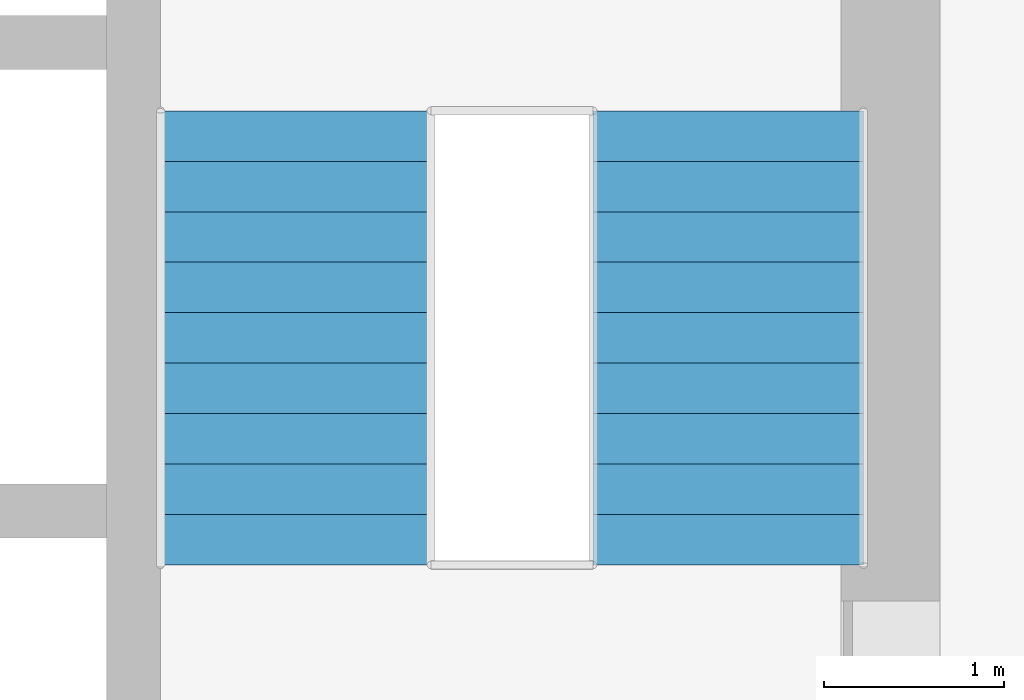
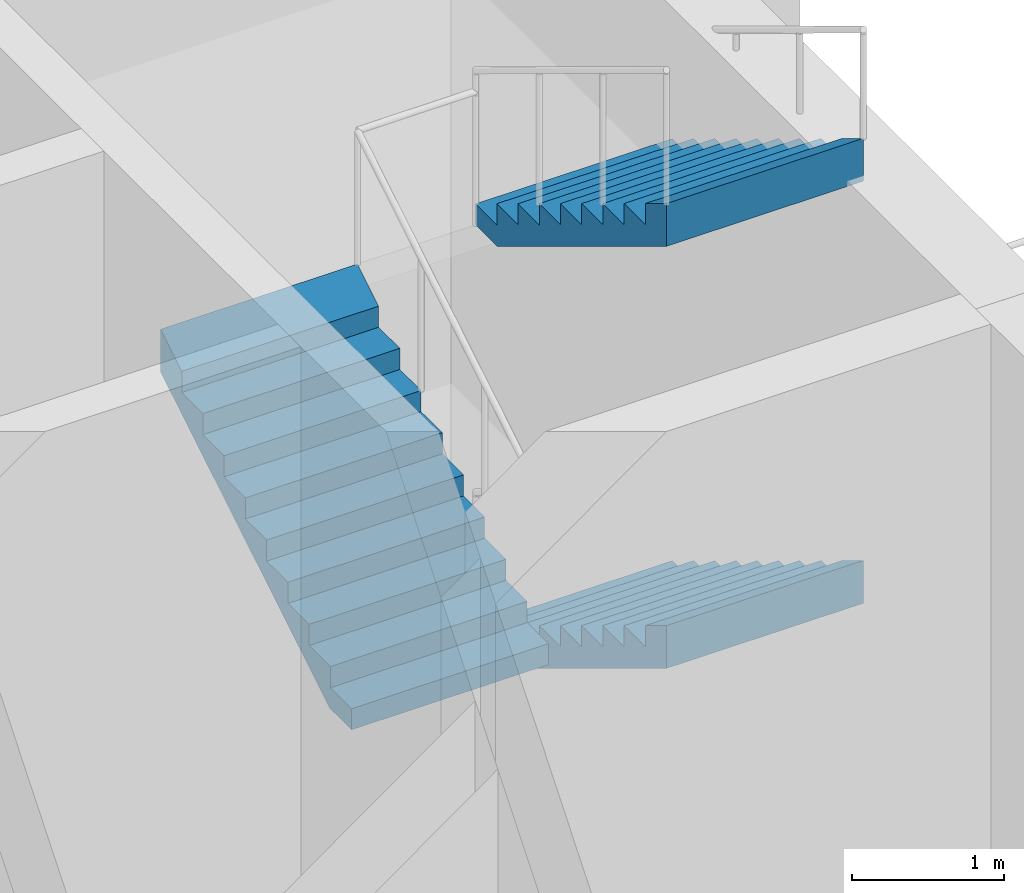
# One storey, part 7 of 10: 3 stair flights, 1 element without a shape of its own.
"""IFC4 building model written with IfcOpenShell, lengths in metres."""

from ifc_helpers import new_model, si_unit, direction, frame, origin, place, context, subcontext, project, spatial, triangles, material, type_object, element, aggregate, save


model = new_model("IFC4")

# Units and contexts
model_context = context("Model", 3, precision=1e-05, world=origin(), true_north=direction((0.0, 1.0)))
body_context = subcontext(model_context, "Body", "Model", "MODEL_VIEW")
ifc_project = project(units=[si_unit("LENGTHUNIT", "METRE"), si_unit("AREAUNIT", "SQUARE_METRE"), si_unit("VOLUMEUNIT", "CUBIC_METRE"), si_unit("PLANEANGLEUNIT", "RADIAN"), si_unit("MASSUNIT", "GRAM", prefix="KILO")], contexts=[model_context])

# Site, building, storey
site_placement = place(None, origin())
site = spatial("IfcSite", under=ifc_project, at=site_placement, CompositionType="ELEMENT")
building_placement = place(site_placement, origin())
building = spatial("IfcBuilding", under=site, at=building_placement, Name="Ludao Terraces", CompositionType="ELEMENT")
storey_placement = place(building_placement, frame((0.0, 0.0, 172.39990234375)))
storey = spatial("IfcBuildingStorey", under=building, at=storey_placement, Name="L47", CompositionType="ELEMENT", Elevation=172.39990234375)

# Stair, stair flights
ifc_material = material(Name="Concrete C40", Category="concrete")
stair_type = type_object("IfcStairType", Name="INT Stair", PredefinedType="HALF_TURN_STAIR", material=ifc_material)
stair_placement = place(storey_placement, origin())
stair = element("IfcStair", 1, at=stair_placement, inside=storey, type_object=stair_type, Name="EXIT STAIR 2", PredefinedType="HALF_TURN_STAIR")
stair_flight_type = type_object("IfcStairFlightType", Name="INT Stair flight", PredefinedType="STRAIGHT", material=ifc_material)
stair_flight_1_placement = place(storey_placement, frame((93.85009765625, 81.52001953125, 1.7001953125), z_axis=(0.0, 0.0, 1.0), x_axis=(0.0, -1.0, 0.0)))
stair_flight_1 = element("IfcStairFlight", 2, at=stair_flight_1_placement, type_object=stair_flight_type, Name="ST2 flight 2", NumberOfRisers=10, NumberOfTreads=9, PredefinedType="STRAIGHT", RiserHeight=0.17, TreadLength=0.28, context=body_context, shape_type="Tessellation", body=[
    triangles([(0.0, -0.75, 0.0), (0.0, -0.5, 0.0), (0.0, -0.25, 0.0), (0.0, 0.0, 0.0), (0.0, 0.25, 0.0), (0.0, 0.5, 0.0), (0.0, 0.75, 0.0), (0.0, -0.75, 0.169921875), (0.0, -0.5, 0.169921875), (0.0, -0.25, 0.169921875), (0.0, 0.0, 0.169921875), (0.0, 0.25, 0.169921875), (0.0, 0.5, 0.169921875), (0.0, 0.75, 0.169921875), (0.280029296875, -0.75, 0.169921875), (0.280029296875, -0.5, 0.169921875), (0.280029296875, -0.25, 0.169921875), (0.280029296875, 0.0, 0.169921875), (0.280029296875, 0.25, 0.169921875), (0.280029296875, 0.5, 0.169921875), (0.280029296875, 0.75, 0.169921875), (0.280029296875, -0.75, 0.340087890625), (0.280029296875, -0.5, 0.340087890625), (0.280029296875, -0.25, 0.340087890625), (0.280029296875, 0.0, 0.340087890625), (0.280029296875, 0.25, 0.340087890625), (0.280029296875, 0.5, 0.340087890625), (0.280029296875, 0.75, 0.340087890625), (0.56005859375, -0.75, 0.340087890625), (0.56005859375, -0.5, 0.340087890625), (0.56005859375, -0.25, 0.340087890625), (0.56005859375, 0.0, 0.340087890625), (0.56005859375, 0.25, 0.340087890625), (0.56005859375, 0.5, 0.340087890625), (0.56005859375, 0.75, 0.340087890625), (0.56005859375, -0.75, 0.510009765625), (0.56005859375, -0.5, 0.510009765625), (0.56005859375, -0.25, 0.510009765625), (0.56005859375, 0.0, 0.510009765625), (0.56005859375, 0.25, 0.510009765625), (0.56005859375, 0.5, 0.510009765625), (0.56005859375, 0.75, 0.510009765625), (0.840087890625, -0.75, 0.510009765625), (0.840087890625, -0.5, 0.510009765625), (0.840087890625, -0.25, 0.510009765625), (0.840087890625, 0.0, 0.510009765625), (0.840087890625, 0.25, 0.510009765625), (0.840087890625, 0.5, 0.510009765625), (0.840087890625, 0.75, 0.510009765625), (0.840087890625, -0.75, 0.679931640625), (0.840087890625, -0.5, 0.679931640625), (0.840087890625, -0.25, 0.679931640625), (0.840087890625, 0.0, 0.679931640625), (0.840087890625, 0.25, 0.679931640625), (0.840087890625, 0.5, 0.679931640625), (0.840087890625, 0.75, 0.679931640625), (1.1201171875, -0.75, 0.679931640625), (1.1201171875, -0.5, 0.679931640625), (1.1201171875, -0.25, 0.679931640625), (1.1201171875, 0.0, 0.679931640625), (1.1201171875, 0.25, 0.679931640625), (1.1201171875, 0.5, 0.679931640625), (1.1201171875, 0.75, 0.679931640625), (1.1201171875, -0.75, 0.85009765625), (1.1201171875, -0.5, 0.85009765625), (1.1201171875, -0.25, 0.85009765625), (1.1201171875, 0.0, 0.85009765625), (1.1201171875, 0.25, 0.85009765625), (1.1201171875, 0.5, 0.85009765625), (1.1201171875, 0.75, 0.85009765625), (1.39990234375, -0.75, 0.85009765625), (1.39990234375, -0.5, 0.85009765625), (1.39990234375, -0.25, 0.85009765625), (1.39990234375, 0.0, 0.85009765625), (1.39990234375, 0.25, 0.85009765625), (1.39990234375, 0.5, 0.85009765625), (1.39990234375, 0.75, 0.85009765625), (1.39990234375, -0.75, 1.02001953125), (1.39990234375, -0.5, 1.02001953125), (1.39990234375, -0.25, 1.02001953125), (1.39990234375, 0.0, 1.02001953125), (1.39990234375, 0.25, 1.02001953125), (1.39990234375, 0.5, 1.02001953125), (1.39990234375, 0.75, 1.02001953125), (1.679931640625, -0.75, 1.02001953125), (1.679931640625, -0.5, 1.02001953125), (1.679931640625, -0.25, 1.02001953125), (1.679931640625, 0.0, 1.02001953125), (1.679931640625, 0.25, 1.02001953125), (1.679931640625, 0.5, 1.02001953125), (1.679931640625, 0.75, 1.02001953125), (1.679931640625, -0.75, 1.18994140625), (1.679931640625, -0.5, 1.18994140625), (1.679931640625, -0.25, 1.18994140625), (1.679931640625, 0.0, 1.18994140625), (1.679931640625, 0.25, 1.18994140625), (1.679931640625, 0.5, 1.18994140625), (1.679931640625, 0.75, 1.18994140625), (1.9599609375, -0.75, 1.18994140625), (1.9599609375, -0.5, 1.18994140625), (1.9599609375, -0.25, 1.18994140625), (1.9599609375, 0.0, 1.18994140625), (1.9599609375, 0.25, 1.18994140625), (1.9599609375, 0.5, 1.18994140625), (1.9599609375, 0.75, 1.18994140625), (1.9599609375, -0.75, 1.360107421875), (1.9599609375, -0.5, 1.360107421875), (1.9599609375, -0.25, 1.360107421875), (1.9599609375, 0.0, 1.360107421875), (1.9599609375, 0.25, 1.360107421875), (1.9599609375, 0.5, 1.360107421875), (1.9599609375, 0.75, 1.360107421875), (2.239990234375, -0.75, 1.360107421875), (2.239990234375, -0.5, 1.360107421875), (2.239990234375, -0.25, 1.360107421875), (2.239990234375, 0.0, 1.360107421875), (2.239990234375, 0.25, 1.360107421875), (2.239990234375, 0.5, 1.360107421875), (2.239990234375, 0.75, 1.360107421875), (2.239990234375, -0.75, 1.530029296875), (2.239990234375, -0.5, 1.530029296875), (2.239990234375, -0.25, 1.530029296875), (2.239990234375, 0.0, 1.530029296875), (2.239990234375, 0.25, 1.530029296875), (2.239990234375, 0.5, 1.530029296875), (2.239990234375, 0.75, 1.530029296875), (2.52001953125, -0.75, 1.699951171875), (2.52001953125, -0.5, 1.699951171875), (2.52001953125, -0.25, 1.699951171875), (2.52001953125, 0.0, 1.699951171875), (2.52001953125, 0.25, 1.699951171875), (2.52001953125, 0.5, 1.699951171875), (2.52001953125, 0.75, 1.699951171875), (2.52001953125, -0.75, 1.354736328125), (2.52001953125, -0.5, 1.354736328125), (2.52001953125, -0.25, 1.354736328125), (2.52001953125, 0.0, 1.354736328125), (2.52001953125, 0.25, 1.354736328125), (2.52001953125, 0.5, 1.354736328125), (2.52001953125, 0.75, 1.354736328125), (0.288818359375, -0.75, 0.0), (0.288818359375, -0.5, 0.0), (0.288818359375, -0.25, 0.0), (0.288818359375, 0.0, 0.0), (0.288818359375, 0.25, 0.0), (0.288818359375, 0.5, 0.0), (0.288818359375, 0.75, 0.0)], [[1, 141, 134], [7, 140, 147], [134, 127, 120], [140, 126, 133], [134, 120, 113], [140, 119, 126], [134, 113, 106], [140, 112, 119], [134, 106, 99], [140, 105, 112], [99, 92, 85], [105, 91, 98], [134, 99, 85], [140, 91, 105], [85, 78, 71], [91, 77, 84], [134, 85, 71], [140, 77, 91], [71, 64, 57], [77, 63, 70], [134, 71, 57], [140, 63, 77], [57, 50, 43], [63, 49, 56], [134, 57, 43], [140, 49, 63], [43, 36, 29], [49, 35, 42], [134, 43, 29], [140, 35, 49], [29, 22, 15], [35, 21, 28], [134, 29, 15], [140, 21, 35], [1, 134, 15], [7, 21, 140], [15, 8, 1], [21, 7, 14], [1, 9, 2], [1, 8, 9], [2, 10, 3], [2, 9, 10], [3, 11, 4], [3, 10, 11], [4, 12, 5], [4, 11, 12], [5, 13, 6], [5, 12, 13], [6, 14, 7], [6, 13, 14], [8, 16, 9], [8, 15, 16], [9, 17, 10], [9, 16, 17], [10, 18, 11], [10, 17, 18], [11, 19, 12], [11, 18, 19], [12, 20, 13], [12, 19, 20], [13, 21, 14], [13, 20, 21], [15, 23, 16], [15, 22, 23], [16, 24, 17], [16, 23, 24], [17, 25, 18], [17, 24, 25], [18, 26, 19], [18, 25, 26], [19, 27, 20], [19, 26, 27], [20, 28, 21], [20, 27, 28], [22, 30, 23], [22, 29, 30], [23, 31, 24], [23, 30, 31], [24, 32, 25], [24, 31, 32], [25, 33, 26], [25, 32, 33], [26, 34, 27], [26, 33, 34], [27, 35, 28], [27, 34, 35], [29, 37, 30], [29, 36, 37], [30, 38, 31], [30, 37, 38], [31, 39, 32], [31, 38, 39], [32, 40, 33], [32, 39, 40], [33, 41, 34], [33, 40, 41], [34, 42, 35], [34, 41, 42], [36, 44, 37], [36, 43, 44], [37, 45, 38], [37, 44, 45], [38, 46, 39], [38, 45, 46], [39, 47, 40], [39, 46, 47], [40, 48, 41], [40, 47, 48], [41, 49, 42], [41, 48, 49], [43, 51, 44], [43, 50, 51], [44, 52, 45], [44, 51, 52], [45, 53, 46], [45, 52, 53], [46, 54, 47], [46, 53, 54], [47, 55, 48], [47, 54, 55], [48, 56, 49], [48, 55, 56], [50, 58, 51], [50, 57, 58], [51, 59, 52], [51, 58, 59], [52, 60, 53], [52, 59, 60], [53, 61, 54], [53, 60, 61], [54, 62, 55], [54, 61, 62], [55, 63, 56], [55, 62, 63], [57, 65, 58], [57, 64, 65], [58, 66, 59], [58, 65, 66], [59, 67, 60], [59, 66, 67], [60, 68, 61], [60, 67, 68], [61, 69, 62], [61, 68, 69], [62, 70, 63], [62, 69, 70], [64, 72, 65], [64, 71, 72], [65, 73, 66], [65, 72, 73], [66, 74, 67], [66, 73, 74], [67, 75, 68], [67, 74, 75], [68, 76, 69], [68, 75, 76], [69, 77, 70], [69, 76, 77], [71, 79, 72], [71, 78, 79], [72, 80, 73], [72, 79, 80], [73, 81, 74], [73, 80, 81], [74, 82, 75], [74, 81, 82], [75, 83, 76], [75, 82, 83], [76, 84, 77], [76, 83, 84], [78, 86, 79], [78, 85, 86], [79, 87, 80], [79, 86, 87], [80, 88, 81], [80, 87, 88], [81, 89, 82], [81, 88, 89], [82, 90, 83], [82, 89, 90], [83, 91, 84], [83, 90, 91], [85, 93, 86], [85, 92, 93], [86, 94, 87], [86, 93, 94], [87, 95, 88], [87, 94, 95], [88, 96, 89], [88, 95, 96], [89, 97, 90], [89, 96, 97], [90, 98, 91], [90, 97, 98], [92, 100, 93], [92, 99, 100], [93, 101, 94], [93, 100, 101], [94, 102, 95], [94, 101, 102], [95, 103, 96], [95, 102, 103], [96, 104, 97], [96, 103, 104], [97, 105, 98], [97, 104, 105], [99, 107, 100], [99, 106, 107], [100, 108, 101], [100, 107, 108], [101, 109, 102], [101, 108, 109], [102, 110, 103], [102, 109, 110], [103, 111, 104], [103, 110, 111], [104, 112, 105], [104, 111, 112], [106, 114, 107], [106, 113, 114], [107, 115, 108], [107, 114, 115], [108, 116, 109], [108, 115, 116], [109, 117, 110], [109, 116, 117], [110, 118, 111], [110, 117, 118], [111, 119, 112], [111, 118, 119], [113, 121, 114], [113, 120, 121], [114, 122, 115], [114, 121, 122], [115, 123, 116], [115, 122, 123], [116, 124, 117], [116, 123, 124], [117, 125, 118], [117, 124, 125], [118, 126, 119], [118, 125, 126], [120, 128, 121], [120, 127, 128], [121, 129, 122], [121, 128, 129], [122, 130, 123], [122, 129, 130], [123, 131, 124], [123, 130, 131], [124, 132, 125], [124, 131, 132], [125, 133, 126], [125, 132, 133], [127, 135, 128], [127, 134, 135], [128, 136, 129], [128, 135, 136], [129, 137, 130], [129, 136, 137], [130, 138, 131], [130, 137, 138], [131, 139, 132], [131, 138, 139], [132, 140, 133], [132, 139, 140], [134, 142, 135], [134, 141, 142], [135, 143, 136], [135, 142, 143], [136, 144, 137], [136, 143, 144], [137, 145, 138], [137, 144, 145], [138, 146, 139], [138, 145, 146], [139, 147, 140], [139, 146, 147], [141, 2, 142], [141, 1, 2], [142, 3, 143], [142, 2, 3], [143, 4, 144], [143, 3, 4], [144, 5, 145], [144, 4, 5], [145, 6, 146], [145, 5, 6], [146, 7, 147], [146, 6, 7]], closed=True),
])
stair_flight_2_placement = place(storey_placement, frame((91.449951171875, 79.0, 3.400146484375), z_axis=(0.0, 0.0, 1.0), x_axis=(0.0, 1.0, 0.0)))
stair_flight_2 = element("IfcStairFlight", 3, at=stair_flight_2_placement, type_object=stair_flight_type, Name="ST2 flight 3", NumberOfRisers=10, NumberOfTreads=9, PredefinedType="STRAIGHT", RiserHeight=0.17, TreadLength=0.28, context=body_context, shape_type="Tessellation", body=[
    triangles([(0.0, -0.75, 0.0), (0.0, -0.5, 0.0), (0.0, -0.25, 0.0), (0.0, 0.0, 0.0), (0.0, 0.25, 0.0), (0.0, 0.5, 0.0), (0.0, 0.75, 0.0), (0.0, -0.75, 0.169921875), (0.0, -0.5, 0.169921875), (0.0, -0.25, 0.169921875), (0.0, 0.0, 0.169921875), (0.0, 0.25, 0.169921875), (0.0, 0.5, 0.169921875), (0.0, 0.75, 0.169921875), (0.280029296875, -0.75, 0.169921875), (0.280029296875, -0.5, 0.169921875), (0.280029296875, -0.25, 0.169921875), (0.280029296875, 0.0, 0.169921875), (0.280029296875, 0.25, 0.169921875), (0.280029296875, 0.5, 0.169921875), (0.280029296875, 0.75, 0.169921875), (0.280029296875, -0.75, 0.340087890625), (0.280029296875, -0.5, 0.340087890625), (0.280029296875, -0.25, 0.340087890625), (0.280029296875, 0.0, 0.340087890625), (0.280029296875, 0.25, 0.340087890625), (0.280029296875, 0.5, 0.340087890625), (0.280029296875, 0.75, 0.340087890625), (0.56005859375, -0.75, 0.340087890625), (0.56005859375, -0.5, 0.340087890625), (0.56005859375, -0.25, 0.340087890625), (0.56005859375, 0.0, 0.340087890625), (0.56005859375, 0.25, 0.340087890625), (0.56005859375, 0.5, 0.340087890625), (0.56005859375, 0.75, 0.340087890625), (0.56005859375, -0.75, 0.510009765625), (0.56005859375, -0.5, 0.510009765625), (0.56005859375, -0.25, 0.510009765625), (0.56005859375, 0.0, 0.510009765625), (0.56005859375, 0.25, 0.510009765625), (0.56005859375, 0.5, 0.510009765625), (0.56005859375, 0.75, 0.510009765625), (0.840087890625, -0.75, 0.510009765625), (0.840087890625, -0.5, 0.510009765625), (0.840087890625, -0.25, 0.510009765625), (0.840087890625, 0.0, 0.510009765625), (0.840087890625, 0.25, 0.510009765625), (0.840087890625, 0.5, 0.510009765625), (0.840087890625, 0.75, 0.510009765625), (0.840087890625, -0.75, 0.679931640625), (0.840087890625, -0.5, 0.679931640625), (0.840087890625, -0.25, 0.679931640625), (0.840087890625, 0.0, 0.679931640625), (0.840087890625, 0.25, 0.679931640625), (0.840087890625, 0.5, 0.679931640625), (0.840087890625, 0.75, 0.679931640625), (1.1201171875, -0.75, 0.679931640625), (1.1201171875, -0.5, 0.679931640625), (1.1201171875, -0.25, 0.679931640625), (1.1201171875, 0.0, 0.679931640625), (1.1201171875, 0.25, 0.679931640625), (1.1201171875, 0.5, 0.679931640625), (1.1201171875, 0.75, 0.679931640625), (1.1201171875, -0.75, 0.85009765625), (1.1201171875, -0.5, 0.85009765625), (1.1201171875, -0.25, 0.85009765625), (1.1201171875, 0.0, 0.85009765625), (1.1201171875, 0.25, 0.85009765625), (1.1201171875, 0.5, 0.85009765625), (1.1201171875, 0.75, 0.85009765625), (1.39990234375, -0.75, 0.85009765625), (1.39990234375, -0.5, 0.85009765625), (1.39990234375, -0.25, 0.85009765625), (1.39990234375, 0.0, 0.85009765625), (1.39990234375, 0.25, 0.85009765625), (1.39990234375, 0.5, 0.85009765625), (1.39990234375, 0.75, 0.85009765625), (1.39990234375, -0.75, 1.02001953125), (1.39990234375, -0.5, 1.02001953125), (1.39990234375, -0.25, 1.02001953125), (1.39990234375, 0.0, 1.02001953125), (1.39990234375, 0.25, 1.02001953125), (1.39990234375, 0.5, 1.02001953125), (1.39990234375, 0.75, 1.02001953125), (1.679931640625, -0.75, 1.02001953125), (1.679931640625, -0.5, 1.02001953125), (1.679931640625, -0.25, 1.02001953125), (1.679931640625, 0.0, 1.02001953125), (1.679931640625, 0.25, 1.02001953125), (1.679931640625, 0.5, 1.02001953125), (1.679931640625, 0.75, 1.02001953125), (1.679931640625, -0.75, 1.18994140625), (1.679931640625, -0.5, 1.18994140625), (1.679931640625, -0.25, 1.18994140625), (1.679931640625, 0.0, 1.18994140625), (1.679931640625, 0.25, 1.18994140625), (1.679931640625, 0.5, 1.18994140625), (1.679931640625, 0.75, 1.18994140625), (1.9599609375, -0.75, 1.18994140625), (1.9599609375, -0.5, 1.18994140625), (1.9599609375, -0.25, 1.18994140625), (1.9599609375, 0.0, 1.18994140625), (1.9599609375, 0.25, 1.18994140625), (1.9599609375, 0.5, 1.18994140625), (1.9599609375, 0.75, 1.18994140625), (1.9599609375, -0.75, 1.360107421875), (1.9599609375, -0.5, 1.360107421875), (1.9599609375, -0.25, 1.360107421875), (1.9599609375, 0.0, 1.360107421875), (1.9599609375, 0.25, 1.360107421875), (1.9599609375, 0.5, 1.360107421875), (1.9599609375, 0.75, 1.360107421875), (2.239990234375, -0.75, 1.360107421875), (2.239990234375, -0.5, 1.360107421875), (2.239990234375, -0.25, 1.360107421875), (2.239990234375, 0.0, 1.360107421875), (2.239990234375, 0.25, 1.360107421875), (2.239990234375, 0.5, 1.360107421875), (2.239990234375, 0.75, 1.360107421875), (2.239990234375, -0.75, 1.530029296875), (2.239990234375, -0.5, 1.530029296875), (2.239990234375, -0.25, 1.530029296875), (2.239990234375, 0.0, 1.530029296875), (2.239990234375, 0.25, 1.530029296875), (2.239990234375, 0.5, 1.530029296875), (2.239990234375, 0.75, 1.530029296875), (2.52001953125, -0.75, 1.699951171875), (2.52001953125, -0.5, 1.699951171875), (2.52001953125, -0.25, 1.699951171875), (2.52001953125, 0.0, 1.699951171875), (2.52001953125, 0.25, 1.699951171875), (2.52001953125, 0.5, 1.699951171875), (2.52001953125, 0.75, 1.699951171875), (2.52001953125, -0.75, 1.354736328125), (2.52001953125, -0.5, 1.354736328125), (2.52001953125, -0.25, 1.354736328125), (2.52001953125, 0.0, 1.354736328125), (2.52001953125, 0.25, 1.354736328125), (2.52001953125, 0.5, 1.354736328125), (2.52001953125, 0.75, 1.354736328125), (0.288818359375, -0.75, 0.0), (0.288818359375, -0.5, 0.0), (0.288818359375, -0.25, 0.0), (0.288818359375, 0.0, 0.0), (0.288818359375, 0.25, 0.0), (0.288818359375, 0.5, 0.0), (0.288818359375, 0.75, 0.0)], [[1, 141, 134], [7, 140, 147], [134, 127, 120], [140, 126, 133], [134, 120, 113], [140, 119, 126], [134, 113, 106], [140, 112, 119], [134, 106, 99], [140, 105, 112], [99, 92, 85], [105, 91, 98], [134, 99, 85], [140, 91, 105], [85, 78, 71], [91, 77, 84], [134, 85, 71], [140, 77, 91], [71, 64, 57], [77, 63, 70], [134, 71, 57], [140, 63, 77], [57, 50, 43], [63, 49, 56], [134, 57, 43], [140, 49, 63], [43, 36, 29], [49, 35, 42], [134, 43, 29], [140, 35, 49], [29, 22, 15], [35, 21, 28], [134, 29, 15], [140, 21, 35], [1, 134, 15], [7, 21, 140], [15, 8, 1], [21, 7, 14], [1, 9, 2], [1, 8, 9], [2, 10, 3], [2, 9, 10], [3, 11, 4], [3, 10, 11], [4, 12, 5], [4, 11, 12], [5, 13, 6], [5, 12, 13], [6, 14, 7], [6, 13, 14], [8, 16, 9], [8, 15, 16], [9, 17, 10], [9, 16, 17], [10, 18, 11], [10, 17, 18], [11, 19, 12], [11, 18, 19], [12, 20, 13], [12, 19, 20], [13, 21, 14], [13, 20, 21], [15, 23, 16], [15, 22, 23], [16, 24, 17], [16, 23, 24], [17, 25, 18], [17, 24, 25], [18, 26, 19], [18, 25, 26], [19, 27, 20], [19, 26, 27], [20, 28, 21], [20, 27, 28], [22, 30, 23], [22, 29, 30], [23, 31, 24], [23, 30, 31], [24, 32, 25], [24, 31, 32], [25, 33, 26], [25, 32, 33], [26, 34, 27], [26, 33, 34], [27, 35, 28], [27, 34, 35], [29, 37, 30], [29, 36, 37], [30, 38, 31], [30, 37, 38], [31, 39, 32], [31, 38, 39], [32, 40, 33], [32, 39, 40], [33, 41, 34], [33, 40, 41], [34, 42, 35], [34, 41, 42], [36, 44, 37], [36, 43, 44], [37, 45, 38], [37, 44, 45], [38, 46, 39], [38, 45, 46], [39, 47, 40], [39, 46, 47], [40, 48, 41], [40, 47, 48], [41, 49, 42], [41, 48, 49], [43, 51, 44], [43, 50, 51], [44, 52, 45], [44, 51, 52], [45, 53, 46], [45, 52, 53], [46, 54, 47], [46, 53, 54], [47, 55, 48], [47, 54, 55], [48, 56, 49], [48, 55, 56], [50, 58, 51], [50, 57, 58], [51, 59, 52], [51, 58, 59], [52, 60, 53], [52, 59, 60], [53, 61, 54], [53, 60, 61], [54, 62, 55], [54, 61, 62], [55, 63, 56], [55, 62, 63], [57, 65, 58], [57, 64, 65], [58, 66, 59], [58, 65, 66], [59, 67, 60], [59, 66, 67], [60, 68, 61], [60, 67, 68], [61, 69, 62], [61, 68, 69], [62, 70, 63], [62, 69, 70], [64, 72, 65], [64, 71, 72], [65, 73, 66], [65, 72, 73], [66, 74, 67], [66, 73, 74], [67, 75, 68], [67, 74, 75], [68, 76, 69], [68, 75, 76], [69, 77, 70], [69, 76, 77], [71, 79, 72], [71, 78, 79], [72, 80, 73], [72, 79, 80], [73, 81, 74], [73, 80, 81], [74, 82, 75], [74, 81, 82], [75, 83, 76], [75, 82, 83], [76, 84, 77], [76, 83, 84], [78, 86, 79], [78, 85, 86], [79, 87, 80], [79, 86, 87], [80, 88, 81], [80, 87, 88], [81, 89, 82], [81, 88, 89], [82, 90, 83], [82, 89, 90], [83, 91, 84], [83, 90, 91], [85, 93, 86], [85, 92, 93], [86, 94, 87], [86, 93, 94], [87, 95, 88], [87, 94, 95], [88, 96, 89], [88, 95, 96], [89, 97, 90], [89, 96, 97], [90, 98, 91], [90, 97, 98], [92, 100, 93], [92, 99, 100], [93, 101, 94], [93, 100, 101], [94, 102, 95], [94, 101, 102], [95, 103, 96], [95, 102, 103], [96, 104, 97], [96, 103, 104], [97, 105, 98], [97, 104, 105], [99, 107, 100], [99, 106, 107], [100, 108, 101], [100, 107, 108], [101, 109, 102], [101, 108, 109], [102, 110, 103], [102, 109, 110], [103, 111, 104], [103, 110, 111], [104, 112, 105], [104, 111, 112], [106, 114, 107], [106, 113, 114], [107, 115, 108], [107, 114, 115], [108, 116, 109], [108, 115, 116], [109, 117, 110], [109, 116, 117], [110, 118, 111], [110, 117, 118], [111, 119, 112], [111, 118, 119], [113, 121, 114], [113, 120, 121], [114, 122, 115], [114, 121, 122], [115, 123, 116], [115, 122, 123], [116, 124, 117], [116, 123, 124], [117, 125, 118], [117, 124, 125], [118, 126, 119], [118, 125, 126], [120, 128, 121], [120, 127, 128], [121, 129, 122], [121, 128, 129], [122, 130, 123], [122, 129, 130], [123, 131, 124], [123, 130, 131], [124, 132, 125], [124, 131, 132], [125, 133, 126], [125, 132, 133], [127, 135, 128], [127, 134, 135], [128, 136, 129], [128, 135, 136], [129, 137, 130], [129, 136, 137], [130, 138, 131], [130, 137, 138], [131, 139, 132], [131, 138, 139], [132, 140, 133], [132, 139, 140], [134, 142, 135], [134, 141, 142], [135, 143, 136], [135, 142, 143], [136, 144, 137], [136, 143, 144], [137, 145, 138], [137, 144, 145], [138, 146, 139], [138, 145, 146], [139, 147, 140], [139, 146, 147], [141, 2, 142], [141, 1, 2], [142, 3, 143], [142, 2, 3], [143, 4, 144], [143, 3, 4], [144, 5, 145], [144, 4, 5], [145, 6, 146], [145, 5, 6], [146, 7, 147], [146, 6, 7]], closed=True),
])
stair_flight_3_placement = place(storey_placement, frame((93.85009765625, 81.52001953125, 5.10009765625), z_axis=(0.0, 0.0, 1.0), x_axis=(0.0, -1.0, 0.0)))
stair_flight_3 = element("IfcStairFlight", 4, at=stair_flight_3_placement, type_object=stair_flight_type, Name="ST2 flight 4", NumberOfRisers=10, NumberOfTreads=9, PredefinedType="STRAIGHT", RiserHeight=0.17, TreadLength=0.28, context=body_context, shape_type="Tessellation", body=[
    triangles([(0.0, -0.75, 0.0), (0.0, -0.5, 0.0), (0.0, -0.25, 0.0), (0.0, 0.0, 0.0), (0.0, 0.25, 0.0), (0.0, 0.5, 0.0), (0.0, 0.75, 0.0), (0.0, -0.75, 0.169921875), (0.0, -0.5, 0.169921875), (0.0, -0.25, 0.169921875), (0.0, 0.0, 0.169921875), (0.0, 0.25, 0.169921875), (0.0, 0.5, 0.169921875), (0.0, 0.75, 0.169921875), (0.280029296875, -0.75, 0.169921875), (0.280029296875, -0.5, 0.169921875), (0.280029296875, -0.25, 0.169921875), (0.280029296875, 0.0, 0.169921875), (0.280029296875, 0.25, 0.169921875), (0.280029296875, 0.5, 0.169921875), (0.280029296875, 0.75, 0.169921875), (0.280029296875, -0.75, 0.340087890625), (0.280029296875, -0.5, 0.340087890625), (0.280029296875, -0.25, 0.340087890625), (0.280029296875, 0.0, 0.340087890625), (0.280029296875, 0.25, 0.340087890625), (0.280029296875, 0.5, 0.340087890625), (0.280029296875, 0.75, 0.340087890625), (0.56005859375, -0.75, 0.340087890625), (0.56005859375, -0.5, 0.340087890625), (0.56005859375, -0.25, 0.340087890625), (0.56005859375, 0.0, 0.340087890625), (0.56005859375, 0.25, 0.340087890625), (0.56005859375, 0.5, 0.340087890625), (0.56005859375, 0.75, 0.340087890625), (0.56005859375, -0.75, 0.510009765625), (0.56005859375, -0.5, 0.510009765625), (0.56005859375, -0.25, 0.510009765625), (0.56005859375, 0.0, 0.510009765625), (0.56005859375, 0.25, 0.510009765625), (0.56005859375, 0.5, 0.510009765625), (0.56005859375, 0.75, 0.510009765625), (0.840087890625, -0.75, 0.510009765625), (0.840087890625, -0.5, 0.510009765625), (0.840087890625, -0.25, 0.510009765625), (0.840087890625, 0.0, 0.510009765625), (0.840087890625, 0.25, 0.510009765625), (0.840087890625, 0.5, 0.510009765625), (0.840087890625, 0.75, 0.510009765625), (0.840087890625, -0.75, 0.679931640625), (0.840087890625, -0.5, 0.679931640625), (0.840087890625, -0.25, 0.679931640625), (0.840087890625, 0.0, 0.679931640625), (0.840087890625, 0.25, 0.679931640625), (0.840087890625, 0.5, 0.679931640625), (0.840087890625, 0.75, 0.679931640625), (1.1201171875, -0.75, 0.679931640625), (1.1201171875, -0.5, 0.679931640625), (1.1201171875, -0.25, 0.679931640625), (1.1201171875, 0.0, 0.679931640625), (1.1201171875, 0.25, 0.679931640625), (1.1201171875, 0.5, 0.679931640625), (1.1201171875, 0.75, 0.679931640625), (1.1201171875, -0.75, 0.85009765625), (1.1201171875, -0.5, 0.85009765625), (1.1201171875, -0.25, 0.85009765625), (1.1201171875, 0.0, 0.85009765625), (1.1201171875, 0.25, 0.85009765625), (1.1201171875, 0.5, 0.85009765625), (1.1201171875, 0.75, 0.85009765625), (1.39990234375, -0.75, 0.85009765625), (1.39990234375, -0.5, 0.85009765625), (1.39990234375, -0.25, 0.85009765625), (1.39990234375, 0.0, 0.85009765625), (1.39990234375, 0.25, 0.85009765625), (1.39990234375, 0.5, 0.85009765625), (1.39990234375, 0.75, 0.85009765625), (1.39990234375, -0.75, 1.02001953125), (1.39990234375, -0.5, 1.02001953125), (1.39990234375, -0.25, 1.02001953125), (1.39990234375, 0.0, 1.02001953125), (1.39990234375, 0.25, 1.02001953125), (1.39990234375, 0.5, 1.02001953125), (1.39990234375, 0.75, 1.02001953125), (1.679931640625, -0.75, 1.02001953125), (1.679931640625, -0.5, 1.02001953125), (1.679931640625, -0.25, 1.02001953125), (1.679931640625, 0.0, 1.02001953125), (1.679931640625, 0.25, 1.02001953125), (1.679931640625, 0.5, 1.02001953125), (1.679931640625, 0.75, 1.02001953125), (1.679931640625, -0.75, 1.18994140625), (1.679931640625, -0.5, 1.18994140625), (1.679931640625, -0.25, 1.18994140625), (1.679931640625, 0.0, 1.18994140625), (1.679931640625, 0.25, 1.18994140625), (1.679931640625, 0.5, 1.18994140625), (1.679931640625, 0.75, 1.18994140625), (1.9599609375, -0.75, 1.18994140625), (1.9599609375, -0.5, 1.18994140625), (1.9599609375, -0.25, 1.18994140625), (1.9599609375, 0.0, 1.18994140625), (1.9599609375, 0.25, 1.18994140625), (1.9599609375, 0.5, 1.18994140625), (1.9599609375, 0.75, 1.18994140625), (1.9599609375, -0.75, 1.360107421875), (1.9599609375, -0.5, 1.360107421875), (1.9599609375, -0.25, 1.360107421875), (1.9599609375, 0.0, 1.360107421875), (1.9599609375, 0.25, 1.360107421875), (1.9599609375, 0.5, 1.360107421875), (1.9599609375, 0.75, 1.360107421875), (2.239990234375, -0.75, 1.360107421875), (2.239990234375, -0.5, 1.360107421875), (2.239990234375, -0.25, 1.360107421875), (2.239990234375, 0.0, 1.360107421875), (2.239990234375, 0.25, 1.360107421875), (2.239990234375, 0.5, 1.360107421875), (2.239990234375, 0.75, 1.360107421875), (2.239990234375, -0.75, 1.530029296875), (2.239990234375, -0.5, 1.530029296875), (2.239990234375, -0.25, 1.530029296875), (2.239990234375, 0.0, 1.530029296875), (2.239990234375, 0.25, 1.530029296875), (2.239990234375, 0.5, 1.530029296875), (2.239990234375, 0.75, 1.530029296875), (2.52001953125, -0.75, 1.699951171875), (2.52001953125, -0.5, 1.699951171875), (2.52001953125, -0.25, 1.699951171875), (2.52001953125, 0.0, 1.699951171875), (2.52001953125, 0.25, 1.699951171875), (2.52001953125, 0.5, 1.699951171875), (2.52001953125, 0.75, 1.699951171875), (2.52001953125, -0.75, 1.354736328125), (2.52001953125, -0.5, 1.354736328125), (2.52001953125, -0.25, 1.354736328125), (2.52001953125, 0.0, 1.354736328125), (2.52001953125, 0.25, 1.354736328125), (2.52001953125, 0.5, 1.354736328125), (2.52001953125, 0.75, 1.354736328125), (0.288818359375, -0.75, 0.0), (0.288818359375, -0.5, 0.0), (0.288818359375, -0.25, 0.0), (0.288818359375, 0.0, 0.0), (0.288818359375, 0.25, 0.0), (0.288818359375, 0.5, 0.0), (0.288818359375, 0.75, 0.0)], [[1, 141, 134], [7, 140, 147], [134, 127, 120], [140, 126, 133], [134, 120, 113], [140, 119, 126], [134, 113, 106], [140, 112, 119], [134, 106, 99], [140, 105, 112], [99, 92, 85], [105, 91, 98], [134, 99, 85], [140, 91, 105], [85, 78, 71], [91, 77, 84], [134, 85, 71], [140, 77, 91], [71, 64, 57], [77, 63, 70], [134, 71, 57], [140, 63, 77], [57, 50, 43], [63, 49, 56], [134, 57, 43], [140, 49, 63], [43, 36, 29], [49, 35, 42], [134, 43, 29], [140, 35, 49], [29, 22, 15], [35, 21, 28], [134, 29, 15], [140, 21, 35], [1, 134, 15], [7, 21, 140], [15, 8, 1], [21, 7, 14], [1, 9, 2], [1, 8, 9], [2, 10, 3], [2, 9, 10], [3, 11, 4], [3, 10, 11], [4, 12, 5], [4, 11, 12], [5, 13, 6], [5, 12, 13], [6, 14, 7], [6, 13, 14], [8, 16, 9], [8, 15, 16], [9, 17, 10], [9, 16, 17], [10, 18, 11], [10, 17, 18], [11, 19, 12], [11, 18, 19], [12, 20, 13], [12, 19, 20], [13, 21, 14], [13, 20, 21], [15, 23, 16], [15, 22, 23], [16, 24, 17], [16, 23, 24], [17, 25, 18], [17, 24, 25], [18, 26, 19], [18, 25, 26], [19, 27, 20], [19, 26, 27], [20, 28, 21], [20, 27, 28], [22, 30, 23], [22, 29, 30], [23, 31, 24], [23, 30, 31], [24, 32, 25], [24, 31, 32], [25, 33, 26], [25, 32, 33], [26, 34, 27], [26, 33, 34], [27, 35, 28], [27, 34, 35], [29, 37, 30], [29, 36, 37], [30, 38, 31], [30, 37, 38], [31, 39, 32], [31, 38, 39], [32, 40, 33], [32, 39, 40], [33, 41, 34], [33, 40, 41], [34, 42, 35], [34, 41, 42], [36, 44, 37], [36, 43, 44], [37, 45, 38], [37, 44, 45], [38, 46, 39], [38, 45, 46], [39, 47, 40], [39, 46, 47], [40, 48, 41], [40, 47, 48], [41, 49, 42], [41, 48, 49], [43, 51, 44], [43, 50, 51], [44, 52, 45], [44, 51, 52], [45, 53, 46], [45, 52, 53], [46, 54, 47], [46, 53, 54], [47, 55, 48], [47, 54, 55], [48, 56, 49], [48, 55, 56], [50, 58, 51], [50, 57, 58], [51, 59, 52], [51, 58, 59], [52, 60, 53], [52, 59, 60], [53, 61, 54], [53, 60, 61], [54, 62, 55], [54, 61, 62], [55, 63, 56], [55, 62, 63], [57, 65, 58], [57, 64, 65], [58, 66, 59], [58, 65, 66], [59, 67, 60], [59, 66, 67], [60, 68, 61], [60, 67, 68], [61, 69, 62], [61, 68, 69], [62, 70, 63], [62, 69, 70], [64, 72, 65], [64, 71, 72], [65, 73, 66], [65, 72, 73], [66, 74, 67], [66, 73, 74], [67, 75, 68], [67, 74, 75], [68, 76, 69], [68, 75, 76], [69, 77, 70], [69, 76, 77], [71, 79, 72], [71, 78, 79], [72, 80, 73], [72, 79, 80], [73, 81, 74], [73, 80, 81], [74, 82, 75], [74, 81, 82], [75, 83, 76], [75, 82, 83], [76, 84, 77], [76, 83, 84], [78, 86, 79], [78, 85, 86], [79, 87, 80], [79, 86, 87], [80, 88, 81], [80, 87, 88], [81, 89, 82], [81, 88, 89], [82, 90, 83], [82, 89, 90], [83, 91, 84], [83, 90, 91], [85, 93, 86], [85, 92, 93], [86, 94, 87], [86, 93, 94], [87, 95, 88], [87, 94, 95], [88, 96, 89], [88, 95, 96], [89, 97, 90], [89, 96, 97], [90, 98, 91], [90, 97, 98], [92, 100, 93], [92, 99, 100], [93, 101, 94], [93, 100, 101], [94, 102, 95], [94, 101, 102], [95, 103, 96], [95, 102, 103], [96, 104, 97], [96, 103, 104], [97, 105, 98], [97, 104, 105], [99, 107, 100], [99, 106, 107], [100, 108, 101], [100, 107, 108], [101, 109, 102], [101, 108, 109], [102, 110, 103], [102, 109, 110], [103, 111, 104], [103, 110, 111], [104, 112, 105], [104, 111, 112], [106, 114, 107], [106, 113, 114], [107, 115, 108], [107, 114, 115], [108, 116, 109], [108, 115, 116], [109, 117, 110], [109, 116, 117], [110, 118, 111], [110, 117, 118], [111, 119, 112], [111, 118, 119], [113, 121, 114], [113, 120, 121], [114, 122, 115], [114, 121, 122], [115, 123, 116], [115, 122, 123], [116, 124, 117], [116, 123, 124], [117, 125, 118], [117, 124, 125], [118, 126, 119], [118, 125, 126], [120, 128, 121], [120, 127, 128], [121, 129, 122], [121, 128, 129], [122, 130, 123], [122, 129, 130], [123, 131, 124], [123, 130, 131], [124, 132, 125], [124, 131, 132], [125, 133, 126], [125, 132, 133], [127, 135, 128], [127, 134, 135], [128, 136, 129], [128, 135, 136], [129, 137, 130], [129, 136, 137], [130, 138, 131], [130, 137, 138], [131, 139, 132], [131, 138, 139], [132, 140, 133], [132, 139, 140], [134, 142, 135], [134, 141, 142], [135, 143, 136], [135, 142, 143], [136, 144, 137], [136, 143, 144], [137, 145, 138], [137, 144, 145], [138, 146, 139], [138, 145, 146], [139, 147, 140], [139, 146, 147], [141, 2, 142], [141, 1, 2], [142, 3, 143], [142, 2, 3], [143, 4, 144], [143, 3, 4], [144, 5, 145], [144, 4, 5], [145, 6, 146], [145, 5, 6], [146, 7, 147], [146, 6, 7]], closed=True),
])
aggregate(stair, [stair_flight_1, stair_flight_2, stair_flight_3])

save(model, "model.ifc")
